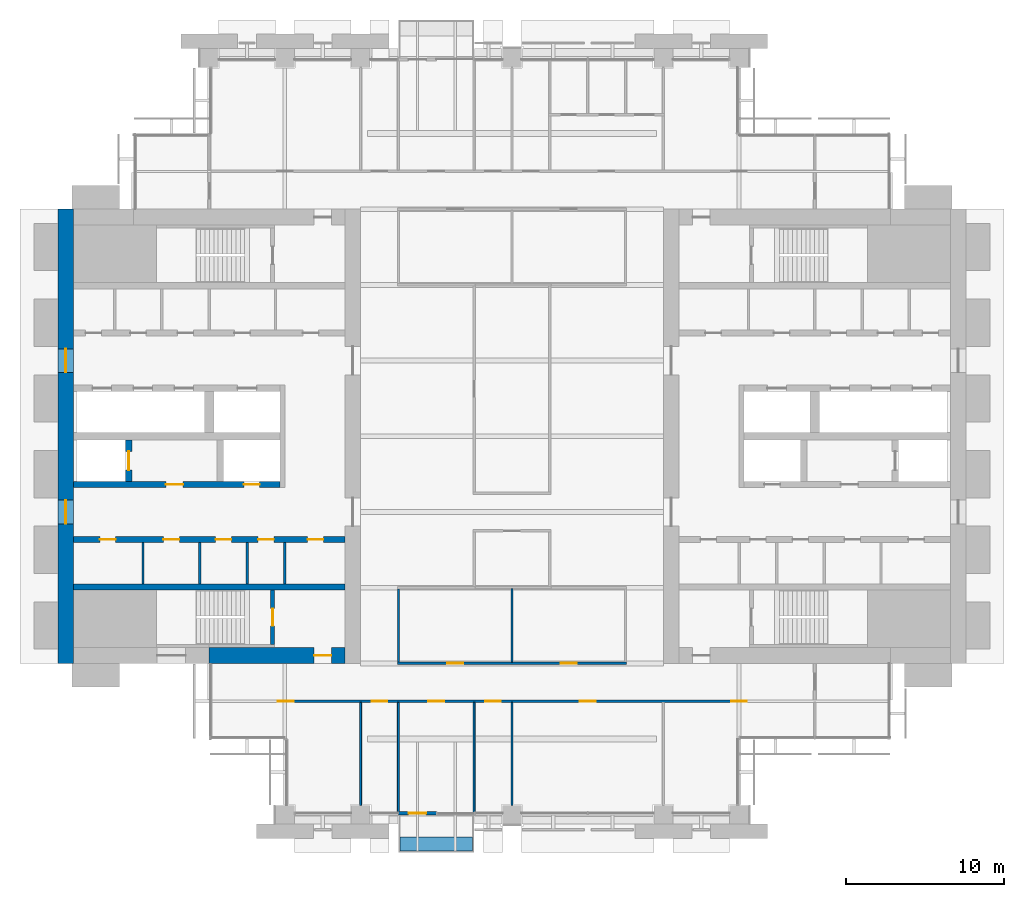
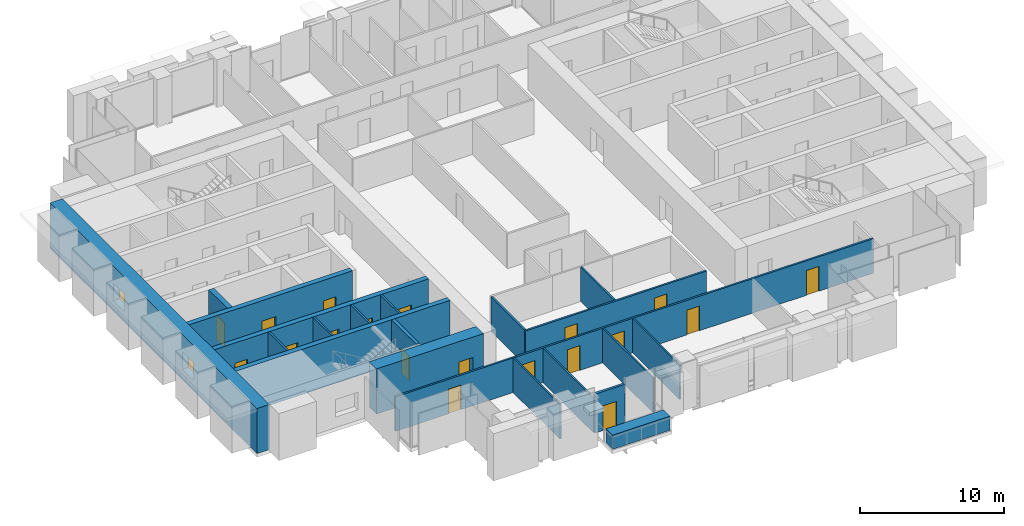
# One storey, part 9 of 15: 21 walls, 19 doors, 2 windows, 21 openings.
"""IFC4 building model written with IfcOpenShell, lengths in metres."""

from ifc_helpers import new_model, si_unit, direction, frame, frame_2d, origin, place, context, subcontext, project, spatial, rectangle, extrude, material, layer, layer_set, type_object, element, fill, save


model = new_model("IFC4")

# Units and contexts
model_context = context("Model", 3, precision=1e-05, world=origin(), true_north=direction((0.0, 1.0)))
body_context = subcontext(model_context, "Body", "Model", "MODEL_VIEW")
ifc_project = project(units=[si_unit("LENGTHUNIT", "METRE"), si_unit("AREAUNIT", "SQUARE_METRE"), si_unit("VOLUMEUNIT", "CUBIC_METRE"), si_unit("PLANEANGLEUNIT", "RADIAN"), si_unit("MASSUNIT", "GRAM", prefix="KILO")], contexts=[model_context])

# Site, building, storey
site_placement = place(None, origin())
site = spatial("IfcSite", under=ifc_project, at=site_placement, CompositionType="ELEMENT")
building_placement = place(site_placement, origin())
building = spatial("IfcBuilding", under=site, at=building_placement, Name="Baori Bourse Tower", CompositionType="ELEMENT")
storey_placement = place(building_placement, frame((0.0, 0.0, 104.10009765625)))
storey = spatial("IfcBuildingStorey", under=building, at=storey_placement, Name="L21", CompositionType="ELEMENT", Elevation=104.10009765625)

# Walls
ifc_material_1 = material(Name="Blockwork partition", Category="masonry")
ifc_layer_1 = layer(ifc_material_1, 0.14990234375)
ifc_layer_set_1 = layer_set([ifc_layer_1], Name="Core partition 150")
wall_type_1 = type_object("IfcWallType", Name="Core partition 150", PredefinedType="PARTITIONING", material=ifc_layer_set_1)
for number, where, z_axis, x_axis, name in (
    (1, (5.39990234375, 14.64990234375, 0.0), (0.0, 0.0, 1.0), (0.0, 1.0, 0.0), "Partition wall W10"),
    (2, (9.0, 14.64990234375, 0.0), (0.0, 0.0, 1.0), (0.0, 1.0, 0.0), "Partition wall W11"),
    (3, (12.0, 14.64990234375, 0.0), (0.0, 0.0, 1.0), (0.0, 1.0, 0.0), "Partition wall W12"),
    (4, (14.39990234375, 14.64990234375, 0.0), (0.0, 0.0, 1.0), (0.0, 1.0, 0.0), "Partition wall W13"),
):
    element("IfcWall", number, at=place(storey_placement, frame(where, z_axis=z_axis, x_axis=x_axis)), inside=storey, type_object=wall_type_1, Name=name, PredefinedType="PARTITIONING", context=body_context, shape_type="SweptSolid", body=[
        extrude(rectangle(XDim=2.60009765625, YDim=0.14990234375, at=frame_2d((1.300048828125, 0.0))), origin(), (0.0, 0.0, 1.0), 3.83984375),
    ])

# Wall, openings, windows
ifc_material_2 = material(Name="Concrete f'c 60 MPa", Category="concrete")
ifc_layer_2 = layer(ifc_material_2, 1.0)
ifc_layer_set_2 = layer_set([ifc_layer_2], Name="Core wall 1000 f'c 60")
wall_type_2 = type_object("IfcWallType", Name="Core wall 1000 f'c 60", PredefinedType="SHEAR", material=ifc_layer_set_2)
wall_1_placement = place(storey_placement, frame((0.5, 9.60009765625, 0.0), z_axis=(0.0, 0.0, 1.0), x_axis=(0.0, 1.0, 0.0)))
wall_1 = element("IfcWall", 5, at=wall_1_placement, inside=storey, type_object=wall_type_2, Name="Core wall W01", PredefinedType="SHEAR", context=body_context, shape_type="SweptSolid", body=[
    extrude(rectangle(XDim=28.7998046875, YDim=1.0, at=frame_2d((14.39990234375, 0.0))), origin(), (0.0, 0.0, 1.0), 3.83984375),
])
opening_1_placement = place(wall_1_placement, frame((8.85009765625, 0.0, 0.89990234375)))
opening_1 = element("IfcOpeningElement", 6, at=opening_1_placement, cuts=wall_1, Name="Opening L21-KW101", PredefinedType="OPENING", context=body_context, shape_type="SweptSolid", body=[
    extrude(rectangle(XDim=1.5, YDim=1.5, at=frame_2d((0.75, 0.75))), frame((0.0, 0.510009765625, 0.0), z_axis=(0.0, -1.0, 0.0), x_axis=(1.0, 0.0, 0.0)), (0.0, 0.0, 1.0), 1.02001953125),
])
opening_2_placement = place(wall_1_placement, frame((18.449951171875, 0.0, 0.89990234375)))
opening_2 = element("IfcOpeningElement", 7, at=opening_2_placement, cuts=wall_1, Name="Opening L21-KW102", PredefinedType="OPENING", context=body_context, shape_type="SweptSolid", body=[
    extrude(rectangle(XDim=1.5, YDim=1.5, at=frame_2d((0.75, 0.75))), frame((0.0, 0.510009765625, 0.0), z_axis=(0.0, -1.0, 0.0), x_axis=(1.0, 0.0, 0.0)), (0.0, 0.0, 1.0), 1.02001953125),
])
ifc_material_3 = material(Name="Pale anodised aluminium", Category="aluminium")
window_type = type_object("IfcWindowType", Name="Lobby window 1500 x 1500", PartitioningType="SINGLE_PANEL", PredefinedType="WINDOW", material=ifc_material_3)
window_1_placement = place(opening_1_placement, origin())
window_1 = element("IfcWindow", 8, at=window_1_placement, inside=storey, type_object=window_type, Name="Outer wall window W L21 1", OverallHeight=1.5, OverallWidth=1.5, PartitioningType="SINGLE_PANEL", PredefinedType="WINDOW", context=body_context, shape_type="SweptSolid", body=[
    extrude(rectangle(XDim=1.5, YDim=1.5, at=frame_2d((0.75, 0.75))), frame((0.0, 0.030029296875, 0.0), z_axis=(0.0, -1.0, 0.0), x_axis=(1.0, 0.0, 0.0)), (0.0, 0.0, 1.0), 0.06005859375),
])
fill(opening_1, window_1)
window_2_placement = place(opening_2_placement, origin())
window_2 = element("IfcWindow", 9, at=window_2_placement, inside=storey, type_object=window_type, Name="Outer wall window W L21 2", OverallHeight=1.5, OverallWidth=1.5, PartitioningType="SINGLE_PANEL", PredefinedType="WINDOW", context=body_context, shape_type="SweptSolid", body=[
    extrude(rectangle(XDim=1.5, YDim=1.5, at=frame_2d((0.75, 0.75))), frame((0.0, 0.030029296875, 0.0), z_axis=(0.0, -1.0, 0.0), x_axis=(1.0, 0.0, 0.0)), (0.0, 0.0, 1.0), 0.06005859375),
])
fill(opening_2, window_2)

# Wall, opening, door
wall_2_placement = place(storey_placement, frame((18.199951171875, 10.10009765625, 0.0), z_axis=(0.0, 0.0, 1.0), x_axis=(-1.0, 0.0, 0.0)))
wall_2 = element("IfcWall", 10, at=wall_2_placement, inside=storey, type_object=wall_type_2, Name="Core wall W03", PredefinedType="SHEAR", context=body_context, shape_type="SweptSolid", body=[
    extrude(rectangle(XDim=8.599853515625, YDim=1.0, at=frame_2d((4.2998046875, 0.0))), origin(), (0.0, 0.0, 1.0), 3.83984375),
])
opening_3_placement = place(wall_2_placement, frame((0.85009765625, 0.0, 0.0)))
opening_3 = element("IfcOpeningElement", 11, at=opening_3_placement, cuts=wall_2, Name="Opening L21-D102", PredefinedType="OPENING", context=body_context, shape_type="SweptSolid", body=[
    extrude(rectangle(XDim=1.10009765625, YDim=2.10009765625, at=frame_2d((0.550048828125, 1.050048828125))), frame((0.0, 0.510009765625, 0.0), z_axis=(0.0, -1.0, 0.0), x_axis=(1.0, 0.0, 0.0)), (0.0, 0.0, 1.0), 1.02001953125),
])
ifc_material_4 = material(Name="Painted steel door", Category="steel")
door_type_1 = type_object("IfcDoorType", Name="Stair door 1100", OperationType="SINGLE_SWING_LEFT", PredefinedType="DOOR", material=ifc_material_4)
door_1_placement = place(opening_3_placement, origin())
door_1 = element("IfcDoor", 12, at=door_1_placement, inside=storey, type_object=door_type_1, Name="Stair vestibule door A W L21", OperationType="SINGLE_SWING_LEFT", OverallHeight=2.10009765625, OverallWidth=1.10009765625, PredefinedType="DOOR", context=body_context, shape_type="SweptSolid", body=[
    extrude(rectangle(XDim=1.10009765625, YDim=2.10009765625, at=frame_2d((0.550048828125, 1.050048828125))), frame((0.0, 0.02490234375, 0.0), z_axis=(0.0, -1.0, 0.0), x_axis=(1.0, 0.0, 0.0)), (0.0, 0.0, 1.0), 0.050048828125),
])
fill(opening_3, door_1)

# Wall, openings, doors
ifc_material_5 = material(Name="Gypsum board partition")
ifc_layer_3 = layer(ifc_material_5, 0.14990234375)
ifc_layer_set_3 = layer_set([ifc_layer_3], Name="Corridor partition 150")
wall_type_3 = type_object("IfcWallType", Name="Corridor partition 150", PredefinedType="PARTITIONING", material=ifc_layer_set_3)
wall_3_placement = place(storey_placement, frame((9.699951171875, 7.199951171875, 0.0), z_axis=(0.0, 0.0, 1.0), x_axis=(1.0, 0.0, 0.0)))
wall_3 = element("IfcWall", 13, at=wall_3_placement, inside=storey, type_object=wall_type_3, Name="Partition", PredefinedType="PARTITIONING", context=body_context, shape_type="SweptSolid", body=[
    extrude(rectangle(XDim=38.375, YDim=0.14990234375, at=frame_2d((19.1875, 0.0))), origin(), (0.0, 0.0, 1.0), 2.935546875),
])
opening_4_placement = place(wall_3_placement, frame((4.25, 0.0, 0.0)))
opening_4 = element("IfcOpeningElement", 14, at=opening_4_placement, cuts=wall_3, Name="Opening L21-D01", PredefinedType="OPENING", context=body_context, shape_type="SweptSolid", body=[
    extrude(rectangle(XDim=1.0, YDim=2.10009765625, at=frame_2d((0.5, 1.050048828125))), frame((0.0, 0.0849609375, 0.0), z_axis=(0.0, -1.0, 0.0), x_axis=(1.0, 0.0, 0.0)), (0.0, 0.0, 1.0), 0.169921875),
])
opening_5_placement = place(wall_3_placement, frame((10.199951171875, 0.0, 0.0)))
opening_5 = element("IfcOpeningElement", 15, at=opening_5_placement, cuts=wall_3, Name="Opening L21-D02", PredefinedType="OPENING", context=body_context, shape_type="SweptSolid", body=[
    extrude(rectangle(XDim=1.0, YDim=2.10009765625, at=frame_2d((0.5, 1.050048828125))), frame((0.0, 0.0849609375, 0.0), z_axis=(0.0, -1.0, 0.0), x_axis=(1.0, 0.0, 0.0)), (0.0, 0.0, 1.0), 0.169921875),
])
opening_6_placement = place(wall_3_placement, frame((13.800048828125, 0.0, 0.0)))
opening_6 = element("IfcOpeningElement", 16, at=opening_6_placement, cuts=wall_3, Name="Opening L21-D03", PredefinedType="OPENING", context=body_context, shape_type="SweptSolid", body=[
    extrude(rectangle(XDim=1.0, YDim=2.10009765625, at=frame_2d((0.5, 1.050048828125))), frame((0.0, 0.0849609375, 0.0), z_axis=(0.0, -1.0, 0.0), x_axis=(1.0, 0.0, 0.0)), (0.0, 0.0, 1.0), 0.169921875),
])
opening_7_placement = place(wall_3_placement, frame((17.39990234375, 0.0, 0.0)))
opening_7 = element("IfcOpeningElement", 17, at=opening_7_placement, cuts=wall_3, Name="Opening L21-D04", PredefinedType="OPENING", context=body_context, shape_type="SweptSolid", body=[
    extrude(rectangle(XDim=1.0, YDim=2.10009765625, at=frame_2d((0.5, 1.050048828125))), frame((0.0, 0.0849609375, 0.0), z_axis=(0.0, -1.0, 0.0), x_axis=(1.0, 0.0, 0.0)), (0.0, 0.0, 1.0), 0.169921875),
])
opening_8_placement = place(wall_3_placement, frame((23.39990234375, 0.0, 0.0)))
opening_8 = element("IfcOpeningElement", 18, at=opening_8_placement, cuts=wall_3, Name="Opening L21-D05", PredefinedType="OPENING", context=body_context, shape_type="SweptSolid", body=[
    extrude(rectangle(XDim=1.0, YDim=2.10009765625, at=frame_2d((0.5, 1.050048828125))), frame((0.0, 0.0849609375, 0.0), z_axis=(0.0, -1.0, 0.0), x_axis=(1.0, 0.0, 0.0)), (0.0, 0.0, 1.0), 0.169921875),
])
opening_9_placement = place(wall_3_placement, frame((33.0, 0.0, 0.0)))
opening_9 = element("IfcOpeningElement", 19, at=opening_9_placement, cuts=wall_3, Name="Opening L21-D06", PredefinedType="OPENING", context=body_context, shape_type="SweptSolid", body=[
    extrude(rectangle(XDim=1.0, YDim=2.10009765625, at=frame_2d((0.5, 1.050048828125))), frame((0.0, 0.0849609375, 0.0), z_axis=(0.0, -1.0, 0.0), x_axis=(1.0, 0.0, 0.0)), (0.0, 0.0, 1.0), 0.169921875),
])
ifc_material_6 = material(Name="Timber door leaf", Category="wood")
door_type_2 = type_object("IfcDoorType", Name="Door 1000 x 2100", OperationType="SINGLE_SWING_LEFT", PredefinedType="DOOR", material=ifc_material_6)
door_2_placement = place(opening_4_placement, origin())
door_2 = element("IfcDoor", 20, at=door_2_placement, inside=storey, type_object=door_type_2, Name="Door", OperationType="SINGLE_SWING_LEFT", OverallHeight=2.10009765625, OverallWidth=1.0, PredefinedType="DOOR", context=body_context, shape_type="SweptSolid", body=[
    extrude(rectangle(XDim=1.0, YDim=2.10009765625, at=frame_2d((0.5, 1.050048828125))), frame((0.0, 0.02490234375, 0.0), z_axis=(0.0, -1.0, 0.0), x_axis=(1.0, 0.0, 0.0)), (0.0, 0.0, 1.0), 0.050048828125),
])
fill(opening_4, door_2)
door_3_placement = place(opening_5_placement, origin())
door_3 = element("IfcDoor", 21, at=door_3_placement, inside=storey, type_object=door_type_2, Name="Door", OperationType="SINGLE_SWING_LEFT", OverallHeight=2.10009765625, OverallWidth=1.0, PredefinedType="DOOR", context=body_context, shape_type="SweptSolid", body=[
    extrude(rectangle(XDim=1.0, YDim=2.10009765625, at=frame_2d((0.5, 1.050048828125))), frame((0.0, 0.02490234375, 0.0), z_axis=(0.0, -1.0, 0.0), x_axis=(1.0, 0.0, 0.0)), (0.0, 0.0, 1.0), 0.050048828125),
])
fill(opening_5, door_3)
door_4_placement = place(opening_6_placement, origin())
door_4 = element("IfcDoor", 22, at=door_4_placement, inside=storey, type_object=door_type_2, Name="Door", OperationType="SINGLE_SWING_LEFT", OverallHeight=2.10009765625, OverallWidth=1.0, PredefinedType="DOOR", context=body_context, shape_type="SweptSolid", body=[
    extrude(rectangle(XDim=1.0, YDim=2.10009765625, at=frame_2d((0.5, 1.050048828125))), frame((0.0, 0.02490234375, 0.0), z_axis=(0.0, -1.0, 0.0), x_axis=(1.0, 0.0, 0.0)), (0.0, 0.0, 1.0), 0.050048828125),
])
fill(opening_6, door_4)
door_5_placement = place(opening_7_placement, origin())
door_5 = element("IfcDoor", 23, at=door_5_placement, inside=storey, type_object=door_type_2, Name="Door", OperationType="SINGLE_SWING_LEFT", OverallHeight=2.10009765625, OverallWidth=1.0, PredefinedType="DOOR", context=body_context, shape_type="SweptSolid", body=[
    extrude(rectangle(XDim=1.0, YDim=2.10009765625, at=frame_2d((0.5, 1.050048828125))), frame((0.0, 0.02490234375, 0.0), z_axis=(0.0, -1.0, 0.0), x_axis=(1.0, 0.0, 0.0)), (0.0, 0.0, 1.0), 0.050048828125),
])
fill(opening_7, door_5)
door_6_placement = place(opening_8_placement, origin())
door_6 = element("IfcDoor", 24, at=door_6_placement, inside=storey, type_object=door_type_2, Name="Door", OperationType="SINGLE_SWING_RIGHT", OverallHeight=2.10009765625, OverallWidth=1.0, PredefinedType="DOOR", context=body_context, shape_type="SweptSolid", body=[
    extrude(rectangle(XDim=1.0, YDim=2.10009765625, at=frame_2d((0.5, 1.050048828125))), frame((0.0, 0.02490234375, 0.0), z_axis=(0.0, -1.0, 0.0), x_axis=(1.0, 0.0, 0.0)), (0.0, 0.0, 1.0), 0.050048828125),
])
fill(opening_8, door_6)
door_7_placement = place(opening_9_placement, origin())
door_7 = element("IfcDoor", 25, at=door_7_placement, inside=storey, type_object=door_type_2, Name="Door", OperationType="SINGLE_SWING_RIGHT", OverallHeight=2.10009765625, OverallWidth=1.0, PredefinedType="DOOR", context=body_context, shape_type="SweptSolid", body=[
    extrude(rectangle(XDim=1.0, YDim=2.10009765625, at=frame_2d((0.5, 1.050048828125))), frame((0.0, 0.02490234375, 0.0), z_axis=(0.0, -1.0, 0.0), x_axis=(1.0, 0.0, 0.0)), (0.0, 0.0, 1.0), 0.050048828125),
])
fill(opening_9, door_7)

wall_4_placement = place(storey_placement, frame((21.52490234375, 9.60009765625, 0.0), z_axis=(0.0, 0.0, 1.0), x_axis=(1.0, 0.0, 0.0)))
wall_4 = element("IfcWall", 26, at=wall_4_placement, inside=storey, type_object=wall_type_3, Name="Partition", PredefinedType="PARTITIONING", context=body_context, shape_type="SweptSolid", body=[
    extrude(rectangle(XDim=14.550048828125, YDim=0.14990234375, at=frame_2d((7.27490234375, 0.0))), origin(), (0.0, 0.0, 1.0), 2.935546875),
])
opening_10_placement = place(wall_4_placement, frame((3.175048828125, 0.0, 0.0)))
opening_10 = element("IfcOpeningElement", 27, at=opening_10_placement, cuts=wall_4, Name="Opening L21-D07", PredefinedType="OPENING", context=body_context, shape_type="SweptSolid", body=[
    extrude(rectangle(XDim=1.0, YDim=2.10009765625, at=frame_2d((0.5, 1.050048828125))), frame((0.0, 0.0849609375, 0.0), z_axis=(0.0, -1.0, 0.0), x_axis=(1.0, 0.0, 0.0)), (0.0, 0.0, 1.0), 0.169921875),
])
opening_11_placement = place(wall_4_placement, frame((10.375, 0.0, 0.0)))
opening_11 = element("IfcOpeningElement", 28, at=opening_11_placement, cuts=wall_4, Name="Opening L21-D08", PredefinedType="OPENING", context=body_context, shape_type="SweptSolid", body=[
    extrude(rectangle(XDim=1.0, YDim=2.10009765625, at=frame_2d((0.5, 1.050048828125))), frame((0.0, 0.0849609375, 0.0), z_axis=(0.0, -1.0, 0.0), x_axis=(1.0, 0.0, 0.0)), (0.0, 0.0, 1.0), 0.169921875),
])
door_8_placement = place(opening_10_placement, origin())
door_8 = element("IfcDoor", 29, at=door_8_placement, inside=storey, type_object=door_type_2, Name="Door", OperationType="SINGLE_SWING_RIGHT", OverallHeight=2.10009765625, OverallWidth=1.0, PredefinedType="DOOR", context=body_context, shape_type="SweptSolid", body=[
    extrude(rectangle(XDim=1.0, YDim=2.10009765625, at=frame_2d((0.5, 1.050048828125))), frame((0.0, 0.02490234375, 0.0), z_axis=(0.0, -1.0, 0.0), x_axis=(1.0, 0.0, 0.0)), (0.0, 0.0, 1.0), 0.050048828125),
])
fill(opening_10, door_8)
door_9_placement = place(opening_11_placement, origin())
door_9 = element("IfcDoor", 30, at=door_9_placement, inside=storey, type_object=door_type_2, Name="Door", OperationType="SINGLE_SWING_LEFT", OverallHeight=2.10009765625, OverallWidth=1.0, PredefinedType="DOOR", context=body_context, shape_type="SweptSolid", body=[
    extrude(rectangle(XDim=1.0, YDim=2.10009765625, at=frame_2d((0.5, 1.050048828125))), frame((0.0, 0.02490234375, 0.0), z_axis=(0.0, -1.0, 0.0), x_axis=(1.0, 0.0, 0.0)), (0.0, 0.0, 1.0), 0.050048828125),
])
fill(opening_11, door_9)

# Wall
wall_5_placement = place(storey_placement, frame((21.60009765625, 9.675048828125, 0.0), z_axis=(0.0, 0.0, 1.0), x_axis=(0.0, 1.0, 0.0)))
element("IfcWall", 31, at=wall_5_placement, inside=storey, type_object=wall_type_3, Name="Partition", PredefinedType="PARTITIONING", context=body_context, shape_type="SweptSolid", body=[
    extrude(rectangle(XDim=4.64990234375, YDim=0.14990234375, at=frame_2d((2.324951171875, 0.0))), origin(), (0.0, 0.0, 1.0), 2.935546875),
])

# Wall, opening, door
ifc_material_7 = material(Name="Pale anodised aluminium", Category="aluminium")
ifc_layer_4 = layer(ifc_material_7, 0.199951171875)
ifc_layer_set_4 = layer_set([ifc_layer_4], Name="EW1 External wall bay")
wall_type_4 = type_object("IfcWallType", Name="EW1 External wall bay", PredefinedType="SOLIDWALL", material=ifc_layer_set_4)
wall_6_placement = place(storey_placement, frame((21.60009765625, 0.10009765625, 0.0), z_axis=(0.0, 0.0, 1.0), x_axis=(1.0, 0.0, 0.0)))
wall_6 = element("IfcWall", 32, at=wall_6_placement, inside=storey, type_object=wall_type_4, Name="External wall bay L21 2", PredefinedType="SOLIDWALL", context=body_context, shape_type="SweptSolid", body=[
    extrude(rectangle(XDim=2.39990234375, YDim=0.199951171875, at=frame_2d((1.199951171875, 0.0))), origin(), (0.0, 0.0, 1.0), 3.314208984375),
])
opening_12_placement = place(wall_6_placement, frame((0.64990234375, 0.0, 0.0)))
opening_12 = element("IfcOpeningElement", 33, at=opening_12_placement, cuts=wall_6, Name="Opening L21-D92", PredefinedType="OPENING", context=body_context, shape_type="SweptSolid", body=[
    extrude(rectangle(XDim=1.10009765625, YDim=2.10009765625, at=frame_2d((0.550048828125, 1.050048828125))), frame((0.0, 0.10986328125, 0.0), z_axis=(0.0, -1.0, 0.0), x_axis=(1.0, 0.0, 0.0)), (0.0, 0.0, 1.0), 0.219970703125),
])
ifc_material_8 = material(Name="Pale anodised aluminium", Category="aluminium")
door_type_3 = type_object("IfcDoorType", Name="BL1 Balcony door", OperationType="SINGLE_SWING_LEFT", PredefinedType="DOOR", material=ifc_material_8)
door_10_placement = place(opening_12_placement, origin())
door_10 = element("IfcDoor", 34, at=door_10_placement, inside=storey, type_object=door_type_3, Name="Balcony door L21 2", OperationType="SINGLE_SWING_LEFT", OverallHeight=2.10009765625, OverallWidth=1.10009765625, PredefinedType="DOOR", context=body_context, shape_type="SweptSolid", body=[
    extrude(rectangle(XDim=1.10009765625, YDim=2.10009765625, at=frame_2d((0.550048828125, 1.050048828125))), frame((0.0, 0.02490234375, 0.0), z_axis=(0.0, -1.0, 0.0), x_axis=(1.0, 0.0, 0.0)), (0.0, 0.0, 1.0), 0.050048828125),
])
fill(opening_12, door_10)

# Walls
ifc_material_9 = material(Name="Concrete f'c 40 MPa", Category="concrete")
ifc_layer_5 = layer(ifc_material_9, 0.89990234375)
ifc_layer_set_5 = layer_set([ifc_layer_5], Name="PW1 Planter wall")
wall_type_5 = type_object("IfcWallType", Name="PW1 Planter wall", PredefinedType="USERDEFINED", material=ifc_layer_set_5)
wall_7_placement = place(storey_placement, frame((21.699951171875, -1.85009765625, 0.0), z_axis=(0.0, 0.0, 1.0), x_axis=(1.0, 0.0, 0.0)))
element("IfcWall", 35, at=wall_7_placement, inside=storey, type_object=wall_type_5, Name="Planter balcony S L21 1", ObjectType="PLANTER", PredefinedType="USERDEFINED", context=body_context, shape_type="SweptSolid", body=[
    extrude(rectangle(XDim=4.60009765625, YDim=0.89990234375, at=frame_2d((2.300048828125, 0.0))), origin(), (0.0, 0.0, 1.0), 1.199951171875),
])
ifc_material_10 = material(Name="Gypsum board partition")
ifc_layer_6 = layer(ifc_material_10, 0.125)
ifc_layer_set_6 = layer_set([ifc_layer_6], Name="Partition 125")
wall_type_6 = type_object("IfcWallType", Name="Partition 125", PredefinedType="PARTITIONING", material=ifc_layer_set_6)
wall_8_placement = place(storey_placement, frame((19.199951171875, 0.60009765625, 0.0), z_axis=(0.0, 0.0, 1.0), x_axis=(0.0, 1.0, 0.0)))
element("IfcWall", 36, at=wall_8_placement, inside=storey, type_object=wall_type_6, Name="Partition", PredefinedType="PARTITIONING", context=body_context, shape_type="SweptSolid", body=[
    extrude(rectangle(XDim=6.52490234375, YDim=0.125, at=frame_2d((3.262451171875, 0.0))), origin(), (0.0, 0.0, 1.0), 2.935546875),
])
for number, where, z_axis, x_axis, name in (
    (37, (21.60009765625, 0.10009765625, 0.0), (0.0, 0.0, 1.0), (0.0, 1.0, 0.0), "Partition"),
    (38, (26.39990234375, 0.10009765625, 0.0), (0.0, 0.0, 1.0), (0.0, 1.0, 0.0), "Partition"),
):
    element("IfcWall", number, at=place(storey_placement, frame(where, z_axis=z_axis, x_axis=x_axis)), inside=storey, type_object=wall_type_6, Name=name, PredefinedType="PARTITIONING", context=body_context, shape_type="SweptSolid", body=[
        extrude(rectangle(XDim=7.02490234375, YDim=0.125, at=frame_2d((3.512451171875, 0.0))), origin(), (0.0, 0.0, 1.0), 2.935546875),
    ])
wall_9_placement = place(storey_placement, frame((28.800048828125, 0.60009765625, 0.0), z_axis=(0.0, 0.0, 1.0), x_axis=(0.0, 1.0, 0.0)))
element("IfcWall", 39, at=wall_9_placement, inside=storey, type_object=wall_type_6, Name="Partition", PredefinedType="PARTITIONING", context=body_context, shape_type="SweptSolid", body=[
    extrude(rectangle(XDim=6.52490234375, YDim=0.125, at=frame_2d((3.262451171875, 0.0))), origin(), (0.0, 0.0, 1.0), 2.935546875),
])
wall_10_placement = place(storey_placement, frame((28.800048828125, 9.675048828125, 0.0), z_axis=(0.0, 0.0, 1.0), x_axis=(0.0, 1.0, 0.0)))
element("IfcWall", 40, at=wall_10_placement, inside=storey, type_object=wall_type_6, Name="Partition", PredefinedType="PARTITIONING", context=body_context, shape_type="SweptSolid", body=[
    extrude(rectangle(XDim=4.662353515625, YDim=0.125, at=frame_2d((2.3310546875, 0.0))), origin(), (0.0, 0.0, 1.0), 2.935546875),
])

# Wall, opening, door
ifc_material_11 = material(Name="Concrete f'c 60 MPa", Category="concrete")
ifc_layer_7 = layer(ifc_material_11, 0.25)
ifc_layer_set_7 = layer_set([ifc_layer_7], Name="Shaft wall 250 f'c 60")
wall_type_7 = type_object("IfcWallType", Name="Shaft wall 250 f'c 60", PredefinedType="SHEAR", material=ifc_layer_set_7)
wall_11_placement = place(storey_placement, frame((13.625, 10.800048828125, 0.0), z_axis=(0.0, 0.0, 1.0), x_axis=(0.0, 1.0, 0.0)))
wall_11 = element("IfcWall", 41, at=wall_11_placement, inside=storey, type_object=wall_type_7, Name="Core wall W08", PredefinedType="SHEAR", context=body_context, shape_type="SweptSolid", body=[
    extrude(rectangle(XDim=3.449951171875, YDim=0.25, at=frame_2d((1.72509765625, 0.0))), origin(), (0.0, 0.0, 1.0), 3.83984375),
])
opening_13_placement = place(wall_11_placement, frame((1.175048828125, 0.0, 0.0)))
opening_13 = element("IfcOpeningElement", 42, at=opening_13_placement, cuts=wall_11, Name="Opening L21-D101", PredefinedType="OPENING", context=body_context, shape_type="SweptSolid", body=[
    extrude(rectangle(XDim=1.10009765625, YDim=2.10009765625, at=frame_2d((0.550048828125, 1.050048828125))), frame((0.0, 0.135009765625, 0.0), z_axis=(0.0, -1.0, 0.0), x_axis=(1.0, 0.0, 0.0)), (0.0, 0.0, 1.0), 0.27001953125),
])
door_11_placement = place(opening_13_placement, origin())
door_11 = element("IfcDoor", 43, at=door_11_placement, inside=storey, type_object=door_type_1, Name="Stair door A W L21", OperationType="SINGLE_SWING_LEFT", OverallHeight=2.10009765625, OverallWidth=1.10009765625, PredefinedType="DOOR", context=body_context, shape_type="SweptSolid", body=[
    extrude(rectangle(XDim=1.10009765625, YDim=2.10009765625, at=frame_2d((0.550048828125, 1.050048828125))), frame((0.0, 0.02490234375, 0.0), z_axis=(0.0, -1.0, 0.0), x_axis=(1.0, 0.0, 0.0)), (0.0, 0.0, 1.0), 0.050048828125),
])
fill(opening_13, door_11)

# Wall
ifc_material_12 = material(Name="Concrete f'c 60 MPa", Category="concrete")
ifc_layer_8 = layer(ifc_material_12, 0.39990234375)
ifc_layer_set_8 = layer_set([ifc_layer_8], Name="Shaft wall 400 f'c 60")
wall_type_8 = type_object("IfcWallType", Name="Shaft wall 400 f'c 60", PredefinedType="SHEAR", material=ifc_layer_set_8)
wall_12_placement = place(storey_placement, frame((1.0, 14.449951171875, 0.0), z_axis=(0.0, 0.0, 1.0), x_axis=(1.0, 0.0, 0.0)))
element("IfcWall", 44, at=wall_12_placement, inside=storey, type_object=wall_type_8, Name="Core wall W09", PredefinedType="SHEAR", context=body_context, shape_type="SweptSolid", body=[
    extrude(rectangle(XDim=17.199951171875, YDim=0.39990234375, at=frame_2d((8.60009765625, 0.0))), origin(), (0.0, 0.0, 1.0), 3.83984375),
])

# Wall, openings, doors
wall_13_placement = place(storey_placement, frame((1.0, 17.449951171875, 0.0), z_axis=(0.0, 0.0, 1.0), x_axis=(1.0, 0.0, 0.0)))
wall_13 = element("IfcWall", 45, at=wall_13_placement, inside=storey, type_object=wall_type_8, Name="Core wall W14", PredefinedType="SHEAR", context=body_context, shape_type="SweptSolid", body=[
    extrude(rectangle(XDim=17.199951171875, YDim=0.39990234375, at=frame_2d((8.60009765625, 0.0))), origin(), (0.0, 0.0, 1.0), 3.83984375),
])
opening_14_placement = place(wall_13_placement, frame((1.66259765625, 0.0, 0.0)))
opening_14 = element("IfcOpeningElement", 46, at=opening_14_placement, cuts=wall_13, Name="Opening L21-D114", PredefinedType="OPENING", context=body_context, shape_type="SweptSolid", body=[
    extrude(rectangle(XDim=1.0, YDim=2.10009765625, at=frame_2d((0.5, 1.050048828125))), frame((0.0, 0.2099609375, 0.0), z_axis=(0.0, -1.0, 0.0), x_axis=(1.0, 0.0, 0.0)), (0.0, 0.0, 1.0), 0.419921875),
])
opening_15_placement = place(wall_13_placement, frame((5.699951171875, 0.0, 0.0)))
opening_15 = element("IfcOpeningElement", 47, at=opening_15_placement, cuts=wall_13, Name="Opening L21-D115", PredefinedType="OPENING", context=body_context, shape_type="SweptSolid", body=[
    extrude(rectangle(XDim=1.0, YDim=2.10009765625, at=frame_2d((0.5, 1.050048828125))), frame((0.0, 0.2099609375, 0.0), z_axis=(0.0, -1.0, 0.0), x_axis=(1.0, 0.0, 0.0)), (0.0, 0.0, 1.0), 0.419921875),
])
opening_16_placement = place(wall_13_placement, frame((9.0, 0.0, 0.0)))
opening_16 = element("IfcOpeningElement", 48, at=opening_16_placement, cuts=wall_13, Name="Opening L21-D116", PredefinedType="OPENING", context=body_context, shape_type="SweptSolid", body=[
    extrude(rectangle(XDim=1.0, YDim=2.10009765625, at=frame_2d((0.5, 1.050048828125))), frame((0.0, 0.2099609375, 0.0), z_axis=(0.0, -1.0, 0.0), x_axis=(1.0, 0.0, 0.0)), (0.0, 0.0, 1.0), 0.419921875),
])
opening_17_placement = place(wall_13_placement, frame((11.699951171875, 0.0, 0.0)))
opening_17 = element("IfcOpeningElement", 49, at=opening_17_placement, cuts=wall_13, Name="Opening L21-D117", PredefinedType="OPENING", context=body_context, shape_type="SweptSolid", body=[
    extrude(rectangle(XDim=1.0, YDim=2.10009765625, at=frame_2d((0.5, 1.050048828125))), frame((0.0, 0.2099609375, 0.0), z_axis=(0.0, -1.0, 0.0), x_axis=(1.0, 0.0, 0.0)), (0.0, 0.0, 1.0), 0.419921875),
])
opening_18_placement = place(wall_13_placement, frame((14.83740234375, 0.0, 0.0)))
opening_18 = element("IfcOpeningElement", 50, at=opening_18_placement, cuts=wall_13, Name="Opening L21-D118", PredefinedType="OPENING", context=body_context, shape_type="SweptSolid", body=[
    extrude(rectangle(XDim=1.0, YDim=2.10009765625, at=frame_2d((0.5, 1.050048828125))), frame((0.0, 0.2099609375, 0.0), z_axis=(0.0, -1.0, 0.0), x_axis=(1.0, 0.0, 0.0)), (0.0, 0.0, 1.0), 0.419921875),
])
ifc_material_13 = material(Name="Painted steel door", Category="steel")
door_type_4 = type_object("IfcDoorType", Name="Core door 1000", OperationType="SINGLE_SWING_LEFT", PredefinedType="DOOR", material=ifc_material_13)
door_12_placement = place(opening_14_placement, origin())
door_12 = element("IfcDoor", 51, at=door_12_placement, inside=storey, type_object=door_type_4, Name="Men'S Wc door W L21", OperationType="SINGLE_SWING_LEFT", OverallHeight=2.10009765625, OverallWidth=1.0, PredefinedType="DOOR", context=body_context, shape_type="SweptSolid", body=[
    extrude(rectangle(XDim=1.0, YDim=2.10009765625, at=frame_2d((0.5, 1.050048828125))), frame((0.0, 0.02490234375, 0.0), z_axis=(0.0, -1.0, 0.0), x_axis=(1.0, 0.0, 0.0)), (0.0, 0.0, 1.0), 0.050048828125),
])
fill(opening_14, door_12)
door_13_placement = place(opening_15_placement, origin())
door_13 = element("IfcDoor", 52, at=door_13_placement, inside=storey, type_object=door_type_4, Name="Women'S Wc door W L21", OperationType="SINGLE_SWING_LEFT", OverallHeight=2.10009765625, OverallWidth=1.0, PredefinedType="DOOR", context=body_context, shape_type="SweptSolid", body=[
    extrude(rectangle(XDim=1.0, YDim=2.10009765625, at=frame_2d((0.5, 1.050048828125))), frame((0.0, 0.02490234375, 0.0), z_axis=(0.0, -1.0, 0.0), x_axis=(1.0, 0.0, 0.0)), (0.0, 0.0, 1.0), 0.050048828125),
])
fill(opening_15, door_13)
door_14_placement = place(opening_16_placement, origin())
door_14 = element("IfcDoor", 53, at=door_14_placement, inside=storey, type_object=door_type_4, Name="Store Room door W L21", OperationType="SINGLE_SWING_LEFT", OverallHeight=2.10009765625, OverallWidth=1.0, PredefinedType="DOOR", context=body_context, shape_type="SweptSolid", body=[
    extrude(rectangle(XDim=1.0, YDim=2.10009765625, at=frame_2d((0.5, 1.050048828125))), frame((0.0, 0.02490234375, 0.0), z_axis=(0.0, -1.0, 0.0), x_axis=(1.0, 0.0, 0.0)), (0.0, 0.0, 1.0), 0.050048828125),
])
fill(opening_16, door_14)
door_15_placement = place(opening_17_placement, origin())
door_15 = element("IfcDoor", 54, at=door_15_placement, inside=storey, type_object=door_type_4, Name="Janitor'S Closet door W L21", OperationType="SINGLE_SWING_LEFT", OverallHeight=2.10009765625, OverallWidth=1.0, PredefinedType="DOOR", context=body_context, shape_type="SweptSolid", body=[
    extrude(rectangle(XDim=1.0, YDim=2.10009765625, at=frame_2d((0.5, 1.050048828125))), frame((0.0, 0.02490234375, 0.0), z_axis=(0.0, -1.0, 0.0), x_axis=(1.0, 0.0, 0.0)), (0.0, 0.0, 1.0), 0.050048828125),
])
fill(opening_17, door_15)
door_16_placement = place(opening_18_placement, origin())
door_16 = element("IfcDoor", 55, at=door_16_placement, inside=storey, type_object=door_type_4, Name="Accessible Wc door W L21", OperationType="SINGLE_SWING_LEFT", OverallHeight=2.10009765625, OverallWidth=1.0, PredefinedType="DOOR", context=body_context, shape_type="SweptSolid", body=[
    extrude(rectangle(XDim=1.0, YDim=2.10009765625, at=frame_2d((0.5, 1.050048828125))), frame((0.0, 0.02490234375, 0.0), z_axis=(0.0, -1.0, 0.0), x_axis=(1.0, 0.0, 0.0)), (0.0, 0.0, 1.0), 0.050048828125),
])
fill(opening_18, door_16)

wall_14_placement = place(storey_placement, frame((1.0, 20.949951171875, 0.0), z_axis=(0.0, 0.0, 1.0), x_axis=(1.0, 0.0, 0.0)))
wall_14 = element("IfcWall", 56, at=wall_14_placement, inside=storey, type_object=wall_type_8, Name="Core wall W15", PredefinedType="SHEAR", context=body_context, shape_type="SweptSolid", body=[
    extrude(rectangle(XDim=13.10009765625, YDim=0.39990234375, at=frame_2d((6.550048828125, 0.0))), origin(), (0.0, 0.0, 1.0), 3.83984375),
])
opening_19_placement = place(wall_14_placement, frame((5.85009765625, 0.0, 0.0)))
opening_19 = element("IfcOpeningElement", 57, at=opening_19_placement, cuts=wall_14, Name="Opening L21-D105", PredefinedType="OPENING", context=body_context, shape_type="SweptSolid", body=[
    extrude(rectangle(XDim=1.10009765625, YDim=2.10009765625, at=frame_2d((0.550048828125, 1.050048828125))), frame((0.0, 0.2099609375, 0.0), z_axis=(0.0, -1.0, 0.0), x_axis=(1.0, 0.0, 0.0)), (0.0, 0.0, 1.0), 0.419921875),
])
opening_20_placement = place(wall_14_placement, frame((10.800048828125, 0.0, 0.0)))
opening_20 = element("IfcOpeningElement", 58, at=opening_20_placement, cuts=wall_14, Name="Opening L21-D106", PredefinedType="OPENING", context=body_context, shape_type="SweptSolid", body=[
    extrude(rectangle(XDim=1.0, YDim=2.10009765625, at=frame_2d((0.5, 1.050048828125))), frame((0.0, 0.2099609375, 0.0), z_axis=(0.0, -1.0, 0.0), x_axis=(1.0, 0.0, 0.0)), (0.0, 0.0, 1.0), 0.419921875),
])
ifc_material_14 = material(Name="Painted steel door", Category="steel")
door_type_5 = type_object("IfcDoorType", Name="Lobby door 1100", OperationType="SINGLE_SWING_LEFT", PredefinedType="DOOR", material=ifc_material_14)
door_17_placement = place(opening_19_placement, origin())
door_17 = element("IfcDoor", 59, at=door_17_placement, inside=storey, type_object=door_type_5, Name="Firefighting lobby door W L21", OperationType="SINGLE_SWING_LEFT", OverallHeight=2.10009765625, OverallWidth=1.10009765625, PredefinedType="DOOR", context=body_context, shape_type="SweptSolid", body=[
    extrude(rectangle(XDim=1.10009765625, YDim=2.10009765625, at=frame_2d((0.550048828125, 1.050048828125))), frame((0.0, 0.02490234375, 0.0), z_axis=(0.0, -1.0, 0.0), x_axis=(1.0, 0.0, 0.0)), (0.0, 0.0, 1.0), 0.050048828125),
])
fill(opening_19, door_17)
ifc_material_15 = material(Name="Painted steel door", Category="steel")
door_type_6 = type_object("IfcDoorType", Name="Shaft door 1000", OperationType="SINGLE_SWING_LEFT", PredefinedType="DOOR", material=ifc_material_15)
door_18_placement = place(opening_20_placement, origin())
door_18 = element("IfcDoor", 60, at=door_18_placement, inside=storey, type_object=door_type_6, Name="Riser room door W L21", OperationType="SINGLE_SWING_LEFT", OverallHeight=2.10009765625, OverallWidth=1.0, PredefinedType="DOOR", context=body_context, shape_type="SweptSolid", body=[
    extrude(rectangle(XDim=1.0, YDim=2.10009765625, at=frame_2d((0.5, 1.050048828125))), frame((0.0, 0.02490234375, 0.0), z_axis=(0.0, -1.0, 0.0), x_axis=(1.0, 0.0, 0.0)), (0.0, 0.0, 1.0), 0.050048828125),
])
fill(opening_20, door_18)

# Wall, opening, door
wall_15_placement = place(storey_placement, frame((4.5, 21.14990234375, 0.0), z_axis=(0.0, 0.0, 1.0), x_axis=(0.0, 1.0, 0.0)))
wall_15 = element("IfcWall", 61, at=wall_15_placement, inside=storey, type_object=wall_type_8, Name="Core wall W17", PredefinedType="SHEAR", context=body_context, shape_type="SweptSolid", body=[
    extrude(rectangle(XDim=2.60009765625, YDim=0.39990234375, at=frame_2d((1.300048828125, 0.0))), origin(), (0.0, 0.0, 1.0), 3.83984375),
])
opening_21_placement = place(wall_15_placement, frame((0.699951171875, 0.0, 0.0)))
opening_21 = element("IfcOpeningElement", 62, at=opening_21_placement, cuts=wall_15, Name="Opening L21-D123", PredefinedType="OPENING", context=body_context, shape_type="SweptSolid", body=[
    extrude(rectangle(XDim=1.199951171875, YDim=2.10009765625, at=frame_2d((0.60009765625, 1.050048828125))), frame((0.0, 0.2099609375, 0.0), z_axis=(0.0, -1.0, 0.0), x_axis=(1.0, 0.0, 0.0)), (0.0, 0.0, 1.0), 0.419921875),
])
ifc_material_16 = material(Name="Stainless steel door", Category="steel")
door_type_7 = type_object("IfcDoorType", Name="Lift landing door", OperationType="DOUBLE_DOOR_SLIDING", PredefinedType="DOOR", material=ifc_material_16)
door_19_placement = place(opening_21_placement, origin())
door_19 = element("IfcDoor", 63, at=door_19_placement, inside=storey, type_object=door_type_7, Name="Lift landing door FF1 W L21", OperationType="DOUBLE_DOOR_SLIDING", OverallHeight=2.10009765625, OverallWidth=1.199951171875, PredefinedType="DOOR", context=body_context, shape_type="SweptSolid", body=[
    extrude(rectangle(XDim=1.199951171875, YDim=2.10009765625, at=frame_2d((0.60009765625, 1.050048828125))), frame((0.0, 0.02490234375, 0.0), z_axis=(0.0, -1.0, 0.0), x_axis=(1.0, 0.0, 0.0)), (0.0, 0.0, 1.0), 0.050048828125),
])
fill(opening_21, door_19)

save(model, "model.ifc")
